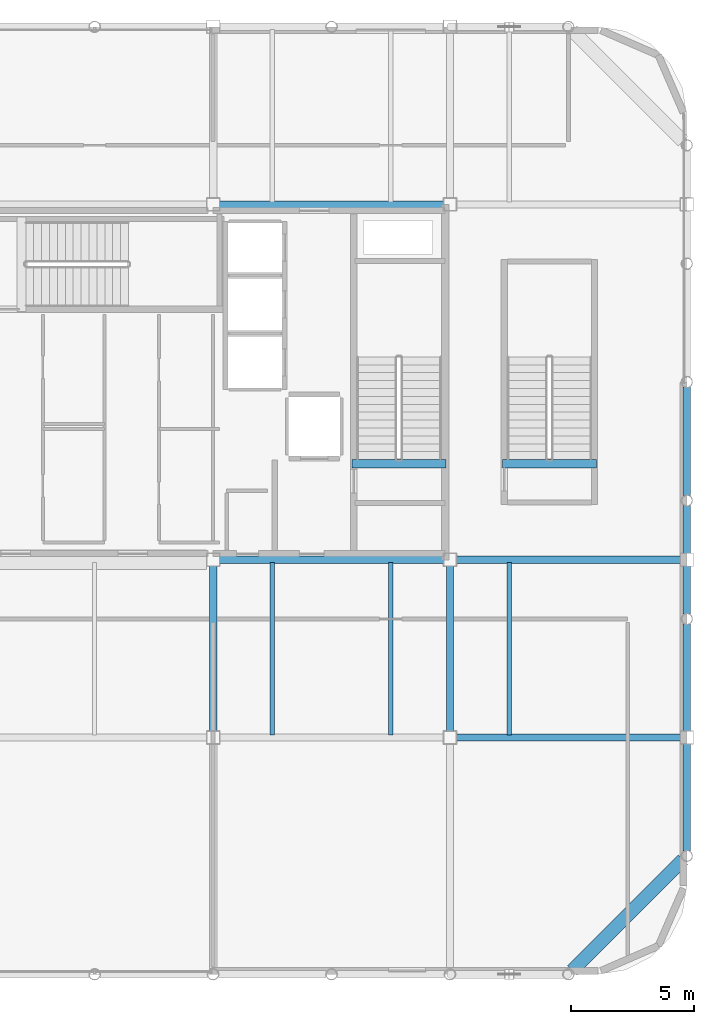
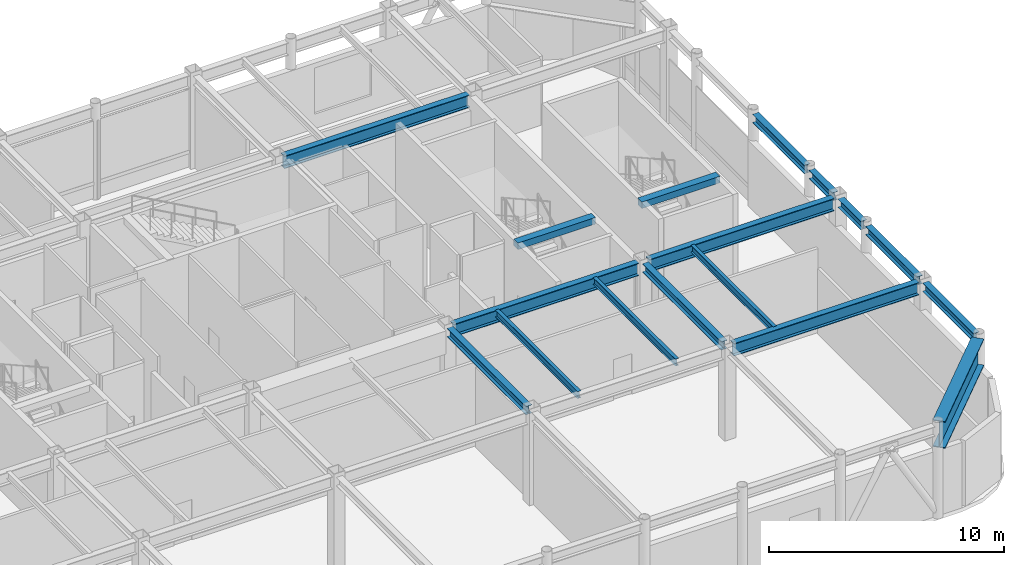
# One storey, part 10 of 21: 17 beams.
"""IFC4 building model written with IfcOpenShell, lengths in metres."""

from ifc_helpers import new_model, si_unit, direction, frame, origin, origin_2d, place, context, subcontext, project, spatial, rectangle, i_section, extrude, material, material_profile, profile_set, type_object, element, save


model = new_model("IFC4")

# Units and contexts
model_context = context("Model", 3, precision=1e-05, world=origin(), true_north=direction((0.0, 1.0)))
body_context = subcontext(model_context, "Body", "Model", "MODEL_VIEW")
ifc_project = project(units=[si_unit("LENGTHUNIT", "METRE"), si_unit("AREAUNIT", "SQUARE_METRE"), si_unit("VOLUMEUNIT", "CUBIC_METRE"), si_unit("PLANEANGLEUNIT", "RADIAN"), si_unit("MASSUNIT", "GRAM", prefix="KILO")], contexts=[model_context])

# Site, building, storey
site_placement = place(None, origin())
site = spatial("IfcSite", under=ifc_project, at=site_placement, CompositionType="ELEMENT")
building_placement = place(site_placement, origin())
building = spatial("IfcBuilding", under=site, at=building_placement, Name="Kallvorn Hotel Tower", CompositionType="ELEMENT")
storey_placement = place(building_placement, frame((0.0, 0.0, 295.60009765625)))
storey = spatial("IfcBuildingStorey", under=building, at=storey_placement, Name="L73", CompositionType="ELEMENT", Elevation=295.60009765625)

# Beams
ifc_material_1 = material(Name="Structural steel S355JR", Category="steel")
ifc_material_profile_1 = material_profile(ifc_material_1, i_section(OverallWidth=0.300048828125, OverallDepth=0.43994140625, WebThickness=0.011474609375, FlangeThickness=0.02099609375, at=origin_2d()), Name="HE 450 A")
ifc_profile_set_1 = profile_set([ifc_material_profile_1], Name="Structural steel S355JR")
beam_type_1 = type_object("IfcBeamType", Name="BM_HE450A", PredefinedType="BEAM", material=ifc_profile_set_1)
for number, where, z_axis, x_axis, name in (
    (1, (4.800048828125, -14.14990234375, 4.579833984375), (0.0, 1.0, 0.0), (-1.0, 0.0, 0.0), "L74 Primary Y-Girder 41"),
    (2, (14.39990234375, -14.14990234375, 4.579833984375), (0.0, 1.0, 0.0), (-1.0, 0.0, 0.0), "L74 Primary Y-Girder 44"),
):
    element("IfcBeam", number, at=place(storey_placement, frame(where, z_axis=z_axis, x_axis=x_axis)), inside=storey, type_object=beam_type_1, Name=name, PredefinedType="BEAM", context=body_context, shape_type="SweptSolid", body=[
        extrude(i_section(OverallWidth=0.300048828125, OverallDepth=0.43994140625, WebThickness=0.011474609375, FlangeThickness=0.02099609375, at=origin_2d()), origin(), (0.0, 0.0, 1.0), 6.699951171875),
    ])
beam_1_placement = place(storey_placement, frame((24.0, -18.99658203125, 4.579833984375), z_axis=(0.0, 1.0, 0.0), x_axis=(-1.0, 0.0, 0.0)))
element("IfcBeam", 3, at=beam_1_placement, inside=storey, type_object=beam_type_1, Name="L74 Primary Y-Girder 46", PredefinedType="BEAM", context=body_context, shape_type="SweptSolid", body=[
    extrude(i_section(OverallWidth=0.300048828125, OverallDepth=0.43994140625, WebThickness=0.011474609375, FlangeThickness=0.02099609375, at=origin_2d()), origin(), (0.0, 0.0, 1.0), 4.3466796875),
])
beam_2_placement = place(storey_placement, frame((24.0, -14.14990234375, 4.579833984375), z_axis=(0.0, 1.0, 0.0), x_axis=(-1.0, 0.0, 0.0)))
element("IfcBeam", 4, at=beam_2_placement, inside=storey, type_object=beam_type_1, Name="L74 Primary Y-Girder 47", PredefinedType="BEAM", context=body_context, shape_type="SweptSolid", body=[
    extrude(i_section(OverallWidth=0.300048828125, OverallDepth=0.43994140625, WebThickness=0.011474609375, FlangeThickness=0.02099609375, at=origin_2d()), origin(), (0.0, 0.0, 1.0), 4.346435546875),
])
for number, where, z_axis, x_axis, name in (
    (5, (24.0, -9.396484375, 4.579833984375), (0.0, 1.0, 0.0), (-1.0, 0.0, 0.0), "L74 Primary Y-Girder 48"),
    (6, (24.0, -6.949951171875, 4.579833984375), (0.0, 1.0, 0.0), (-1.0, 0.0, 0.0), "L74 Primary Y-Girder 49"),
):
    element("IfcBeam", number, at=place(storey_placement, frame(where, z_axis=z_axis, x_axis=x_axis)), inside=storey, type_object=beam_type_1, Name=name, PredefinedType="BEAM", context=body_context, shape_type="SweptSolid", body=[
        extrude(i_section(OverallWidth=0.300048828125, OverallDepth=0.43994140625, WebThickness=0.011474609375, FlangeThickness=0.02099609375, at=origin_2d()), origin(), (0.0, 0.0, 1.0), 1.946533203125),
    ])
beam_3_placement = place(storey_placement, frame((24.0, -4.596435546875, 4.579833984375), z_axis=(0.0, 1.0, 0.0), x_axis=(-1.0, 0.0, 0.0)))
element("IfcBeam", 7, at=beam_3_placement, inside=storey, type_object=beam_type_1, Name="L74 Primary Y-Girder 50", PredefinedType="BEAM", context=body_context, shape_type="SweptSolid", body=[
    extrude(i_section(OverallWidth=0.300048828125, OverallDepth=0.43994140625, WebThickness=0.011474609375, FlangeThickness=0.02099609375, at=origin_2d()), origin(), (0.0, 0.0, 1.0), 4.392822265625),
])
ifc_material_2 = material(Name="Structural steel S355JR", Category="steel")
ifc_material_profile_2 = material_profile(ifc_material_2, i_section(OverallWidth=0.300048828125, OverallDepth=0.64990234375, WebThickness=0.01611328125, FlangeThickness=0.031005859375, at=origin_2d()), Name="HE 650 B")
ifc_profile_set_2 = profile_set([ifc_material_profile_2], Name="Structural steel S355JR")
beam_type_2 = type_object("IfcBeamType", Name="BM_HE650B", PredefinedType="BEAM", material=ifc_profile_set_2)
beam_4_placement = place(storey_placement, frame((14.64990234375, -14.39990234375, 4.474853515625), z_axis=(1.0, 0.0, 0.0), x_axis=(0.0, 1.0, 0.0)))
element("IfcBeam", 8, at=beam_4_placement, inside=storey, type_object=beam_type_2, Name="L74 Primary X-Girder 06", PredefinedType="BEAM", context=body_context, shape_type="SweptSolid", body=[
    extrude(i_section(OverallWidth=0.300048828125, OverallDepth=0.64990234375, WebThickness=0.01611328125, FlangeThickness=0.031005859375, at=origin_2d()), origin(), (0.0, 0.0, 1.0), 9.10009765625),
])
beam_5_placement = place(storey_placement, frame((5.050048828125, -7.199951171875, 4.474853515625), z_axis=(1.0, 0.0, 0.0), x_axis=(0.0, 1.0, 0.0)))
element("IfcBeam", 9, at=beam_5_placement, inside=storey, type_object=beam_type_2, Name="L74 Primary X-Girder 09", PredefinedType="BEAM", context=body_context, shape_type="SweptSolid", body=[
    extrude(i_section(OverallWidth=0.300048828125, OverallDepth=0.64990234375, WebThickness=0.01611328125, FlangeThickness=0.031005859375, at=origin_2d()), origin(), (0.0, 0.0, 1.0), 9.099853515625),
])
beam_6_placement = place(storey_placement, frame((14.64990234375, -7.199951171875, 4.474853515625), z_axis=(1.0, 0.0, 0.0), x_axis=(0.0, 1.0, 0.0)))
element("IfcBeam", 10, at=beam_6_placement, inside=storey, type_object=beam_type_2, Name="L74 Primary X-Girder 10", PredefinedType="BEAM", context=body_context, shape_type="SweptSolid", body=[
    extrude(i_section(OverallWidth=0.300048828125, OverallDepth=0.64990234375, WebThickness=0.01611328125, FlangeThickness=0.031005859375, at=origin_2d()), origin(), (0.0, 0.0, 1.0), 9.10009765625),
])
beam_7_placement = place(storey_placement, frame((5.050048828125, 7.199951171875, 4.474853515625), z_axis=(1.0, 0.0, 0.0), x_axis=(0.0, 1.0, 0.0)))
element("IfcBeam", 11, at=beam_7_placement, inside=storey, type_object=beam_type_2, Name="L74 Primary X-Girder 14", PredefinedType="BEAM", context=body_context, shape_type="SweptSolid", body=[
    extrude(i_section(OverallWidth=0.300048828125, OverallDepth=0.64990234375, WebThickness=0.01611328125, FlangeThickness=0.031005859375, at=origin_2d()), origin(), (0.0, 0.0, 1.0), 9.099853515625),
])
ifc_material_3 = material(Name="Structural steel S355JR", Category="steel")
ifc_material_profile_3 = material_profile(ifc_material_3, i_section(OverallWidth=0.169921875, OverallDepth=0.360107421875, WebThickness=0.008056640625, FlangeThickness=0.0126953125, at=origin_2d()), Name="IPE 360")
ifc_profile_set_3 = profile_set([ifc_material_profile_3], Name="Structural steel S355JR")
beam_type_3 = type_object("IfcBeamType", Name="BM_IPE360", PredefinedType="JOIST", material=ifc_profile_set_3)
for number, where, z_axis, x_axis, name in (
    (12, (7.199951171875, -14.300048828125, 4.619873046875), (0.0, 1.0, 0.0), (-1.0, 0.0, 0.0), "L74 Secondary Composite Joist 99"),
    (13, (12.0, -14.300048828125, 4.619873046875), (0.0, 1.0, 0.0), (-1.0, 0.0, 0.0), "L74 Secondary Composite Joist 101"),
    (14, (16.800048828125, -14.300048828125, 4.619873046875), (0.0, 1.0, 0.0), (-1.0, 0.0, 0.0), "L74 Secondary Composite Joist 103"),
):
    element("IfcBeam", number, at=place(storey_placement, frame(where, z_axis=z_axis, x_axis=x_axis)), inside=storey, type_object=beam_type_3, Name=name, PredefinedType="JOIST", context=body_context, shape_type="SweptSolid", body=[
        extrude(i_section(OverallWidth=0.169921875, OverallDepth=0.360107421875, WebThickness=0.008056640625, FlangeThickness=0.0126953125, at=origin_2d()), origin(), (0.0, 0.0, 1.0), 7.0),
    ])
ifc_material_4 = material(Name="Structural steel S355JR", Category="steel")
ifc_material_profile_4 = material_profile(ifc_material_4, i_section(OverallWidth=0.550048828125, OverallDepth=1.39990234375, WebThickness=0.02490234375, FlangeThickness=0.044921875, at=origin_2d()), Name="PG 1400x550x25x45")
ifc_profile_set_4 = profile_set([ifc_material_profile_4], Name="Structural steel S355JR")
beam_type_4 = type_object("IfcBeamType", Name="BM_PG_1400", PredefinedType="BEAM", material=ifc_profile_set_4)
beam_8_placement = place(storey_placement, frame((23.845458984375, -19.3544921875, 4.099853515625), z_axis=(-0.707106781187, -0.707106781187, 0.0), x_axis=(0.707106781187, -0.707106781187, 0.0)))
element("IfcBeam", 15, at=beam_8_placement, inside=storey, type_object=beam_type_4, Name="L74 Rounded Corner Tie Beam 88", PredefinedType="BEAM", context=body_context, shape_type="SweptSolid", body=[
    extrude(i_section(OverallWidth=0.550048828125, OverallDepth=1.39990234375, WebThickness=0.02490234375, FlangeThickness=0.044921875, at=origin_2d()), origin(), (0.0, 0.0, 1.0), 6.35107421875),
])
ifc_material_5 = material(Name="Concrete C50/60", Category="concrete")
ifc_material_profile_5 = material_profile(ifc_material_5, rectangle(XDim=0.360107421875, YDim=0.340087890625, at=origin_2d()), Name="RC 360x340")
ifc_profile_set_5 = profile_set([ifc_material_profile_5], Name="Concrete C50/60")
beam_type_5 = type_object("IfcBeamType", Name="BM_RC_400x360", PredefinedType="BEAM", material=ifc_profile_set_5)
for number, where, z_axis, x_axis, name in (
    (16, (14.239990234375, -3.31005859375, 4.6298828125), (-1.0, 0.0, 0.0), (0.0, -1.0, 0.0), "L74 Stair ST2 Arrival Trimmer Beam"),
    (17, (20.340087890625, -3.31005859375, 4.6298828125), (-1.0, 0.0, 0.0), (0.0, -1.0, 0.0), "L74 Stair ST4 Arrival Trimmer Beam"),
):
    element("IfcBeam", number, at=place(storey_placement, frame(where, z_axis=z_axis, x_axis=x_axis)), inside=storey, type_object=beam_type_5, Name=name, PredefinedType="BEAM", context=body_context, shape_type="SweptSolid", body=[
        extrude(rectangle(XDim=0.360107421875, YDim=0.340087890625, at=origin_2d()), origin(), (0.0, 0.0, 1.0), 3.820068359375),
    ])

save(model, "model.ifc")
